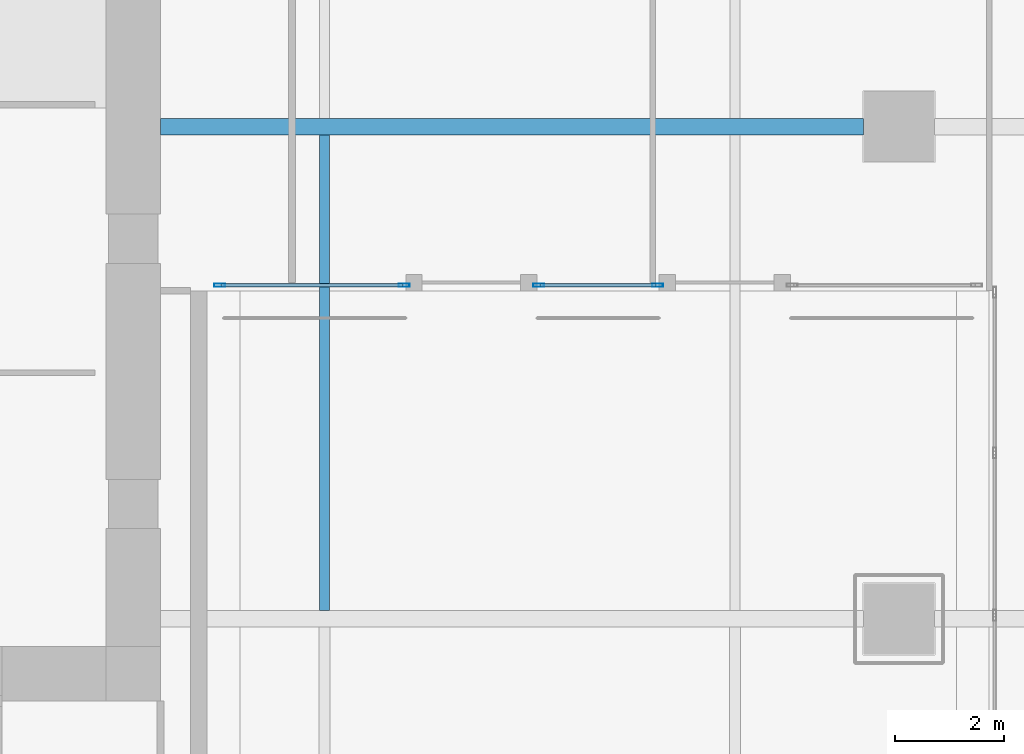
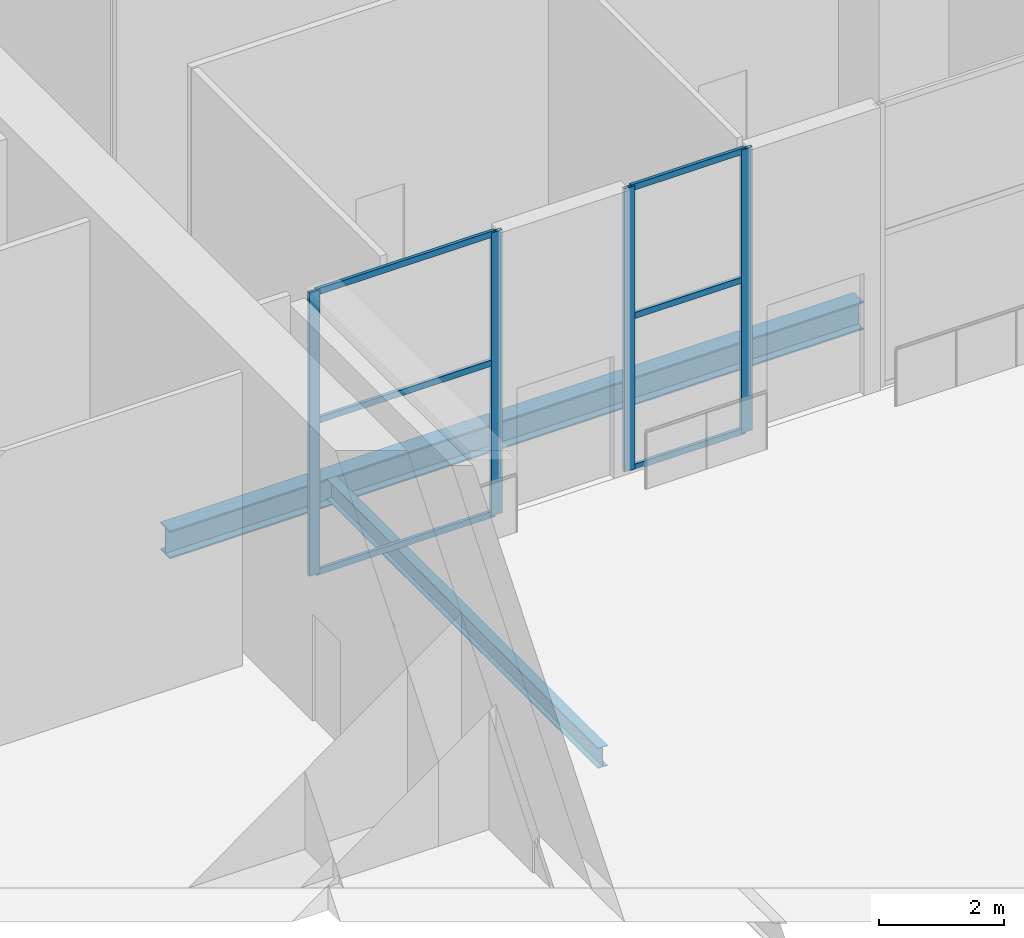
# One storey, part 10 of 47: 10 members, 2 beams, 2 elements without a shape of their own.
"""IFC4 building model written with IfcOpenShell, lengths in metres."""

from ifc_helpers import new_model, si_unit, direction, frame, origin, origin_2d, place, context, subcontext, project, spatial, hollow_rectangle, i_section, extrude, source, transform, mapped, material, material_profile, profile_set, type_object, element, aggregate, save


model = new_model("IFC4")

# Units and contexts
model_context = context("Model", 3, precision=1e-05, world=origin(), true_north=direction((0.0, 1.0)))
body_context = subcontext(model_context, "Body", "Model", "MODEL_VIEW")
ifc_project = project(units=[si_unit("LENGTHUNIT", "METRE"), si_unit("AREAUNIT", "SQUARE_METRE"), si_unit("VOLUMEUNIT", "CUBIC_METRE"), si_unit("PLANEANGLEUNIT", "RADIAN"), si_unit("MASSUNIT", "GRAM", prefix="KILO")], contexts=[model_context])

# Site, building, storey
site_placement = place(None, origin())
site = spatial("IfcSite", under=ifc_project, at=site_placement, CompositionType="ELEMENT")
building_placement = place(site_placement, origin())
building = spatial("IfcBuilding", under=site, at=building_placement, Name="Khomas Fold Tower", CompositionType="ELEMENT")
storey_placement = place(building_placement, frame((0.0, 0.0, 158.699951171875)))
storey = spatial("IfcBuildingStorey", under=building, at=storey_placement, Name="L34", CompositionType="ELEMENT", Elevation=158.699951171875)

# Beams
ifc_material_1 = material(Name="Steel S355", Category="steel")
ifc_material_profile_1 = material_profile(ifc_material_1, i_section(OverallWidth=0.179931640625, OverallDepth=0.39990234375, WebThickness=0.008544921875, FlangeThickness=0.013427734375, at=origin_2d()), Name="IPE 400")
ifc_profile_set_1 = profile_set([ifc_material_profile_1], Name="Steel S355")
beam_type_1 = type_object("IfcBeamType", Name="IPE 400 beam JB3", PredefinedType="BEAM", material=ifc_profile_set_1)
shared_shape_1 = source(origin(), body_context, "Body", "SweptSolid", [
    extrude(i_section(OverallWidth=0.179931640625, OverallDepth=0.39990234375, WebThickness=0.008544921875, FlangeThickness=0.013427734375, at=origin_2d()), origin(), (0.0, 0.0, 1.0), 8.7001953125),
])
beam_1_placement = place(storey_placement, frame((27.0, 13.64990234375, -0.64990234375), z_axis=(0.0, 1.0, 0.0), x_axis=(-1.0, 0.0, 0.0)))
element("IfcBeam", 1, at=beam_1_placement, inside=storey, type_object=beam_type_1, Name="JB3", PredefinedType="BEAM", context=body_context, shape_type="MappedRepresentation", body=[
    mapped(shared_shape_1, transform((0.0, 0.0, 0.0))),
])
ifc_material_2 = material(Name="Steel S355", Category="steel")
ifc_material_profile_2 = material_profile(ifc_material_2, i_section(OverallWidth=0.300048828125, OverallDepth=0.550048828125, WebThickness=0.014892578125, FlangeThickness=0.029052734375, at=origin_2d()), Name="HE 550 B")
ifc_profile_set_2 = profile_set([ifc_material_profile_2], Name="Steel S355")
beam_type_2 = type_object("IfcBeamType", Name="HE 550 B beam GB4", PredefinedType="BEAM", material=ifc_profile_set_2)
shared_shape_2 = source(origin(), body_context, "Body", "SweptSolid", [
    extrude(i_section(OverallWidth=0.300048828125, OverallDepth=0.550048828125, WebThickness=0.014892578125, FlangeThickness=0.029052734375, at=origin_2d()), origin(), (0.0, 0.0, 1.0), 12.85009765625),
])
beam_2_placement = place(storey_placement, frame((24.0, 22.5, -0.724853515625), z_axis=(1.0, 0.0, 0.0), x_axis=(0.0, 1.0, 0.0)))
element("IfcBeam", 2, at=beam_2_placement, inside=storey, type_object=beam_type_2, Name="GB4", PredefinedType="BEAM", context=body_context, shape_type="MappedRepresentation", body=[
    mapped(shared_shape_2, transform((0.0, 0.0, 0.0))),
])

# Curtain wall, members
ifc_material_3 = material(Name="Aluminium framed double glazing", Category="aluminium")
curtain_wall_type = type_object("IfcCurtainWallType", Name="Notch glazing GN-CW", PredefinedType="NOTDEFINED", material=ifc_material_3)
curtain_wall_1_placement = place(storey_placement, origin())
curtain_wall_1 = element("IfcCurtainWall", 3, at=curtain_wall_1_placement, inside=storey, type_object=curtain_wall_type, Name="Notch glazing run", PredefinedType="NOTDEFINED")
ifc_material_4 = material(Name="Aluminium", Category="aluminium")
ifc_material_profile_3 = material_profile(ifc_material_4, hollow_rectangle(XDim=0.06005859375, YDim=0.199951171875, WallThickness=0.00390625, at=origin_2d()), Name="Notch glazing mullion GN-CW-M")
ifc_profile_set_3 = profile_set([ifc_material_profile_3], Name="Aluminium")
member_type_1 = type_object("IfcMemberType", Name="Notch glazing mullion GN-CW-M", PredefinedType="MULLION", material=ifc_profile_set_3)
shared_shape_3 = source(origin(), body_context, "Body", "SweptSolid", [
    extrude(hollow_rectangle(XDim=0.06005859375, YDim=0.199951171875, WallThickness=0.00390625, at=origin_2d()), origin(), (0.0, 0.0, 1.0), 5.550048828125),
])
member_1_placement = place(storey_placement, frame((25.080078125, 19.60009765625, 0.0), z_axis=(0.0, 0.0, 1.0), x_axis=(0.0, 1.0, 0.0)))
member_1 = element("IfcMember", 4, at=member_1_placement, type_object=member_type_1, Name="GN-CW mullion 1", PredefinedType="MULLION", context=body_context, shape_type="MappedRepresentation", body=[
    mapped(shared_shape_3, transform((0.0, 0.0, 0.0))),
])
member_2_placement = place(storey_placement, frame((28.453369140625, 19.60009765625, 0.0), z_axis=(0.0, 0.0, 1.0), x_axis=(0.0, 1.0, 0.0)))
member_2 = element("IfcMember", 5, at=member_2_placement, type_object=member_type_1, Name="GN-CW mullion 2", PredefinedType="MULLION", context=body_context, shape_type="MappedRepresentation", body=[
    mapped(shared_shape_3, transform((0.0, 0.0, 0.0))),
])

curtain_wall_2_placement = place(storey_placement, origin())
curtain_wall_2 = element("IfcCurtainWall", 6, at=curtain_wall_2_placement, inside=storey, type_object=curtain_wall_type, Name="Notch glazing run", PredefinedType="NOTDEFINED")
member_3_placement = place(storey_placement, frame((30.913330078125, 19.60009765625, 0.0), z_axis=(0.0, 0.0, 1.0), x_axis=(0.0, 1.0, 0.0)))
member_3 = element("IfcMember", 7, at=member_3_placement, type_object=member_type_1, Name="GN-CW mullion 1", PredefinedType="MULLION", context=body_context, shape_type="MappedRepresentation", body=[
    mapped(shared_shape_3, transform((0.0, 0.0, 0.0))),
])
member_4_placement = place(storey_placement, frame((33.086669921875, 19.60009765625, 0.0), z_axis=(0.0, 0.0, 1.0), x_axis=(0.0, 1.0, 0.0)))
member_4 = element("IfcMember", 8, at=member_4_placement, type_object=member_type_1, Name="GN-CW mullion 2", PredefinedType="MULLION", context=body_context, shape_type="MappedRepresentation", body=[
    mapped(shared_shape_3, transform((0.0, 0.0, 0.0))),
])

# Member
ifc_material_5 = material(Name="Aluminium", Category="aluminium")
ifc_material_profile_4 = material_profile(ifc_material_5, hollow_rectangle(XDim=0.06005859375, YDim=0.1201171875, WallThickness=0.00390625, at=origin_2d()), Name="Notch glazing transom GN-CW-T")
ifc_profile_set_4 = profile_set([ifc_material_profile_4], Name="Aluminium")
member_type_2 = type_object("IfcMemberType", Name="Notch glazing transom GN-CW-T", PredefinedType="USERDEFINED", material=ifc_profile_set_4)
shared_shape_4 = source(origin(), body_context, "Body", "SweptSolid", [
    extrude(hollow_rectangle(XDim=0.06005859375, YDim=0.1201171875, WallThickness=0.00390625, at=origin_2d()), origin(), (0.0, 0.0, 1.0), 3.313232421875),
])
member_5_placement = place(storey_placement, frame((25.110107421875, 19.60009765625, 0.030029296875), z_axis=(1.0, 0.0, 0.0), x_axis=(0.0, 1.0, 0.0)))
member_5 = element("IfcMember", 9, at=member_5_placement, type_object=member_type_2, Name="GN-CW transom 1.1", ObjectType="TRANSOM", PredefinedType="USERDEFINED", context=body_context, shape_type="MappedRepresentation", body=[
    mapped(shared_shape_4, transform((0.0, 0.0, 0.0))),
])

member_6_placement = place(storey_placement, frame((25.110107421875, 19.60009765625, 3.0), z_axis=(1.0, 0.0, 0.0), x_axis=(0.0, 1.0, 0.0)))
member_6 = element("IfcMember", 10, at=member_6_placement, type_object=member_type_2, Name="GN-CW transom 1.2", ObjectType="TRANSOM", PredefinedType="USERDEFINED", context=body_context, shape_type="MappedRepresentation", body=[
    mapped(shared_shape_4, transform((0.0, 0.0, 0.0))),
])

member_7_placement = place(storey_placement, frame((25.110107421875, 19.60009765625, 5.52001953125), z_axis=(1.0, 0.0, 0.0), x_axis=(0.0, 1.0, 0.0)))
member_7 = element("IfcMember", 11, at=member_7_placement, type_object=member_type_2, Name="GN-CW transom 1.3", ObjectType="TRANSOM", PredefinedType="USERDEFINED", context=body_context, shape_type="MappedRepresentation", body=[
    mapped(shared_shape_4, transform((0.0, 0.0, 0.0))),
])

aggregate(curtain_wall_1, [member_1, member_2, member_5, member_6, member_7])

shared_shape_5 = source(origin(), body_context, "Body", "SweptSolid", [
    extrude(hollow_rectangle(XDim=0.06005859375, YDim=0.1201171875, WallThickness=0.00390625, at=origin_2d()), origin(), (0.0, 0.0, 1.0), 2.11328125),
])
member_8_placement = place(storey_placement, frame((30.943359375, 19.60009765625, 0.030029296875), z_axis=(1.0, 0.0, 0.0), x_axis=(0.0, 1.0, 0.0)))
member_8 = element("IfcMember", 12, at=member_8_placement, type_object=member_type_2, Name="GN-CW transom 1.1", ObjectType="TRANSOM", PredefinedType="USERDEFINED", context=body_context, shape_type="MappedRepresentation", body=[
    mapped(shared_shape_5, transform((0.0, 0.0, 0.0))),
])

member_9_placement = place(storey_placement, frame((30.943359375, 19.60009765625, 3.0), z_axis=(1.0, 0.0, 0.0), x_axis=(0.0, 1.0, 0.0)))
member_9 = element("IfcMember", 13, at=member_9_placement, type_object=member_type_2, Name="GN-CW transom 1.2", ObjectType="TRANSOM", PredefinedType="USERDEFINED", context=body_context, shape_type="MappedRepresentation", body=[
    mapped(shared_shape_5, transform((0.0, 0.0, 0.0))),
])

member_10_placement = place(storey_placement, frame((30.943359375, 19.60009765625, 5.52001953125), z_axis=(1.0, 0.0, 0.0), x_axis=(0.0, 1.0, 0.0)))
member_10 = element("IfcMember", 14, at=member_10_placement, type_object=member_type_2, Name="GN-CW transom 1.3", ObjectType="TRANSOM", PredefinedType="USERDEFINED", context=body_context, shape_type="MappedRepresentation", body=[
    mapped(shared_shape_5, transform((0.0, 0.0, 0.0))),
])

aggregate(curtain_wall_2, [member_3, member_4, member_8, member_9, member_10])

save(model, "model.ifc")
